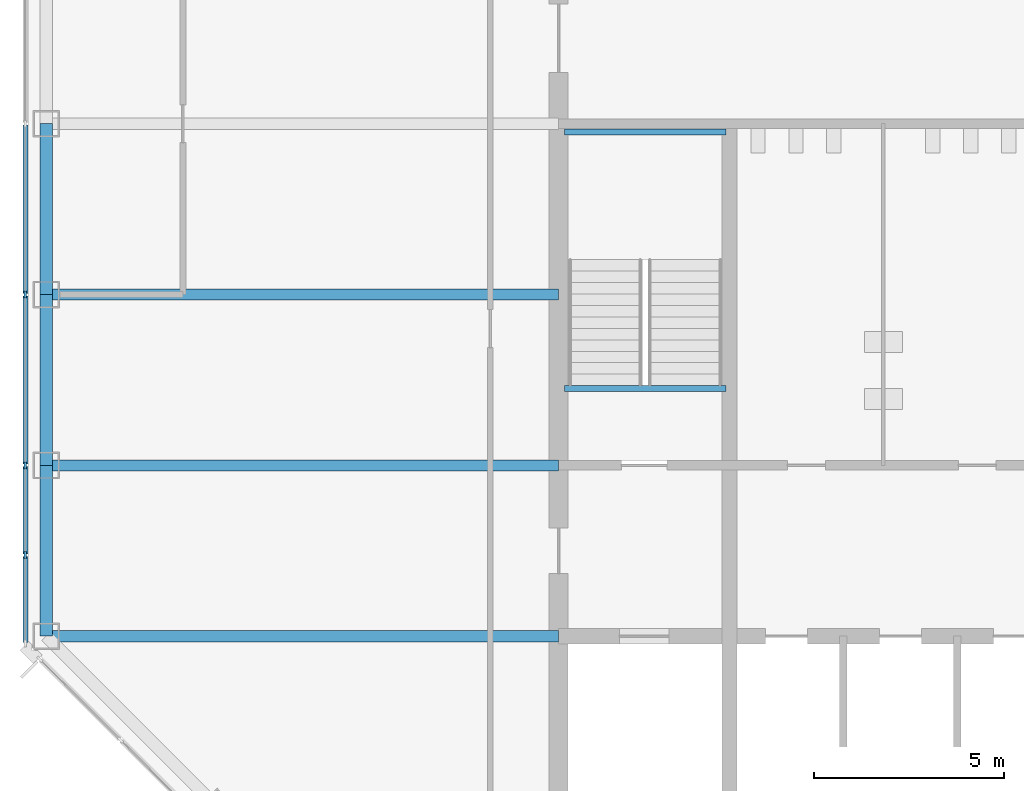
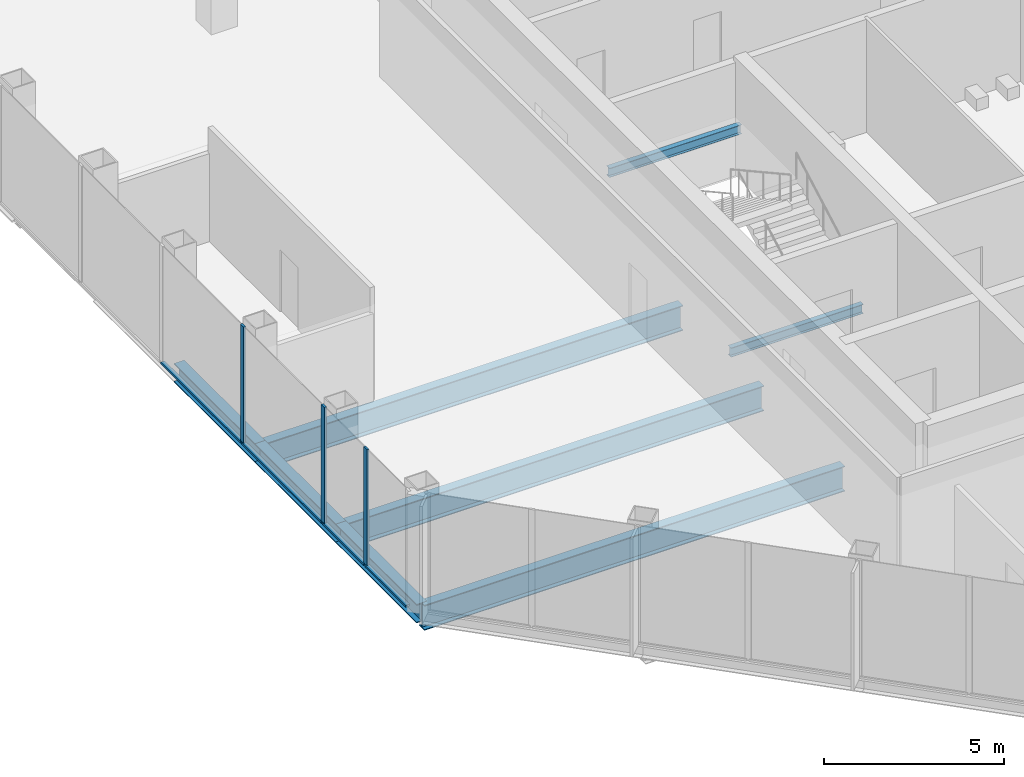
# One storey, part 3 of 12: 8 beams, 7 members, 1 element without a shape of its own.
"""IFC4 building model written with IfcOpenShell, lengths in metres."""

from ifc_helpers import new_model, si_unit, direction, frame, origin, origin_2d, place, context, subcontext, project, spatial, rectangle, i_section, extrude, material, material_profile, profile_set, type_object, element, aggregate, save


model = new_model("IFC4")

# Units and contexts
model_context = context("Model", 3, precision=1e-05, world=origin(), true_north=direction((0.0, 1.0)))
body_context = subcontext(model_context, "Body", "Model", "MODEL_VIEW")
ifc_project = project(units=[si_unit("LENGTHUNIT", "METRE"), si_unit("AREAUNIT", "SQUARE_METRE"), si_unit("VOLUMEUNIT", "CUBIC_METRE"), si_unit("PLANEANGLEUNIT", "RADIAN"), si_unit("MASSUNIT", "GRAM", prefix="KILO")], contexts=[model_context])

# Site, building, storey
site_placement = place(None, origin())
site = spatial("IfcSite", under=ifc_project, at=site_placement, CompositionType="ELEMENT")
building_placement = place(site_placement, origin())
building = spatial("IfcBuilding", under=site, at=building_placement, Name="Corais Broadcast Tower", CompositionType="ELEMENT")
storey_placement = place(building_placement, frame((0.0, 0.0, 163.60009765625)))
storey = spatial("IfcBuildingStorey", under=building, at=storey_placement, Name="L37", CompositionType="ELEMENT", Elevation=163.60009765625)

# Beams
ifc_material_1 = material(Name="Steel ASTM A572 Grade 50", Category="steel")
ifc_material_profile_1 = material_profile(ifc_material_1, i_section(OverallWidth=0.2939453125, OverallDepth=0.85107421875, WebThickness=0.01611328125, FlangeThickness=0.02685546875, at=origin_2d()), Name="W840x226")
ifc_profile_set_1 = profile_set([ifc_material_profile_1], Name="Steel ASTM A572 Grade 50")
beam_type_1 = type_object("IfcBeamType", Name="Floor beam W840x226", PredefinedType="BEAM", material=ifc_profile_set_1)
for number, where, z_axis, x_axis, name in (
    (1, (0.0, 18.0, -0.585693359375), (1.0, 0.0, 0.0), (0.0, 1.0, 0.0), "B1 E/3 to E/6"),
    (2, (0.0, 22.5, -0.585693359375), (1.0, 0.0, 0.0), (0.0, 1.0, 0.0), "B1 F/3 to F/6"),
    (3, (0.0, 27.0, -0.585693359375), (1.0, 0.0, 0.0), (0.0, 1.0, 0.0), "B1 G/3 to G/6"),
):
    element("IfcBeam", number, at=place(storey_placement, frame(where, z_axis=z_axis, x_axis=x_axis)), inside=storey, type_object=beam_type_1, Name=name, PredefinedType="BEAM", context=body_context, shape_type="SweptSolid", body=[
        extrude(i_section(OverallWidth=0.2939453125, OverallDepth=0.85107421875, WebThickness=0.01611328125, FlangeThickness=0.02685546875, at=origin_2d()), origin(), (0.0, 0.0, 1.0), 13.5),
    ])
ifc_material_2 = material(Name="Steel ASTM A572 Grade 50", Category="steel")
ifc_material_profile_2 = material_profile(ifc_material_2, i_section(OverallWidth=0.1650390625, OverallDepth=0.31005859375, WebThickness=0.005859375, FlangeThickness=0.009765625, at=origin_2d()), Name="W310x38.7")
ifc_profile_set_2 = profile_set([ifc_material_profile_2], Name="Steel ASTM A572 Grade 50")
beam_type_2 = type_object("IfcBeamType", Name="Landing trimmer W310x38.7", PredefinedType="BEAM", material=ifc_profile_set_2)
for number, where, z_axis, x_axis, name in (
    (4, (13.64990234375, 24.52490234375, -0.35498046875), (1.0, 0.0, 0.0), (0.0, 1.0, 0.0), "LT1 stair A landing trimmer L37"),
    (5, (13.64990234375, 31.284912109375, 1.64501953125), (1.0, 0.0, 0.0), (0.0, 1.0, 0.0), "LT1 stair A half landing trimmer L37"),
):
    element("IfcBeam", number, at=place(storey_placement, frame(where, z_axis=z_axis, x_axis=x_axis)), inside=storey, type_object=beam_type_2, Name=name, PredefinedType="BEAM", context=body_context, shape_type="SweptSolid", body=[
        extrude(i_section(OverallWidth=0.1650390625, OverallDepth=0.31005859375, WebThickness=0.005859375, FlangeThickness=0.009765625, at=origin_2d()), origin(), (0.0, 0.0, 1.0), 4.25),
    ])

# Curtain wall, members
ifc_material_3 = material(Name="Aluminium and glass", Category="aluminium")
curtain_wall_type = type_object("IfcCurtainWallType", Name="Unitised fritted curtain wall CW2", PredefinedType="NOTDEFINED", material=ifc_material_3)
curtain_wall_placement = place(storey_placement, origin())
curtain_wall = element("IfcCurtainWall", 6, at=curtain_wall_placement, inside=storey, type_object=curtain_wall_type, Name="CW2 curtain wall L37 2", PredefinedType="NOTDEFINED")
ifc_material_4 = material(Name="Aluminium 6063-T6", Category="aluminium")
ifc_material_profile_3 = material_profile(ifc_material_4, rectangle(XDim=0.06494140625, YDim=0.179931640625, at=origin_2d()), Name="Mullion CW2 65x180")
ifc_profile_set_3 = profile_set([ifc_material_profile_3], Name="Aluminium 6063-T6")
member_type_1 = type_object("IfcMemberType", Name="Mullion CW2 65x180", PredefinedType="MULLION", material=ifc_profile_set_3)
member_1_placement = place(storey_placement, frame((-0.550048828125, 20.135986328125, 0.0), z_axis=(0.0, 0.0, 1.0), x_axis=(-1.0, 0.0, 0.0)))
member_1 = element("IfcMember", 7, at=member_1_placement, type_object=member_type_1, Name="CW2 mullion 2", PredefinedType="MULLION", context=body_context, shape_type="SweptSolid", body=[
    extrude(rectangle(XDim=0.06494140625, YDim=0.179931640625, at=origin_2d()), origin(), (0.0, 0.0, 1.0), 4.0),
])
member_2_placement = place(storey_placement, frame((-0.550048828125, 22.5, 0.0), z_axis=(0.0, 0.0, 1.0), x_axis=(-1.0, 0.0, 0.0)))
member_2 = element("IfcMember", 8, at=member_2_placement, type_object=member_type_1, Name="CW2 mullion 3", PredefinedType="MULLION", context=body_context, shape_type="SweptSolid", body=[
    extrude(rectangle(XDim=0.06494140625, YDim=0.179931640625, at=origin_2d()), origin(), (0.0, 0.0, 1.0), 4.0),
])
member_3_placement = place(storey_placement, frame((-0.550048828125, 27.0, 0.0), z_axis=(0.0, 0.0, 1.0), x_axis=(-1.0, 0.0, 0.0)))
member_3 = element("IfcMember", 9, at=member_3_placement, type_object=member_type_1, Name="CW2 mullion 4", PredefinedType="MULLION", context=body_context, shape_type="SweptSolid", body=[
    extrude(rectangle(XDim=0.06494140625, YDim=0.179931640625, at=origin_2d()), origin(), (0.0, 0.0, 1.0), 4.0),
])

# Beams
ifc_material_5 = material(Name="Steel ASTM A572 Grade 50", Category="steel")
ifc_material_profile_4 = material_profile(ifc_material_5, i_section(OverallWidth=0.3291015625, OverallDepth=0.635009765625, WebThickness=0.017822265625, FlangeThickness=0.031005859375, at=origin_2d()), Name="W610x241")
ifc_profile_set_4 = profile_set([ifc_material_profile_4], Name="Steel ASTM A572 Grade 50")
beam_type_3 = type_object("IfcBeamType", Name="Spandrel W610x241", PredefinedType="BEAM", material=ifc_profile_set_4)
for number, where, z_axis, x_axis, name in (
    (10, (0.0, 22.5, -0.4775390625), (0.0, -1.0, 0.0), (1.0, 0.0, 0.0), "SB1 F/3 to E/3"),
    (11, (0.0, 27.0, -0.4775390625), (0.0, -1.0, 0.0), (1.0, 0.0, 0.0), "SB1 G/3 to F/3"),
    (12, (0.0, 31.5, -0.4775390625), (0.0, -1.0, 0.0), (1.0, 0.0, 0.0), "SB1 H/3 to G/3"),
):
    element("IfcBeam", number, at=place(storey_placement, frame(where, z_axis=z_axis, x_axis=x_axis)), inside=storey, type_object=beam_type_3, Name=name, PredefinedType="BEAM", context=body_context, shape_type="SweptSolid", body=[
        extrude(i_section(OverallWidth=0.3291015625, OverallDepth=0.635009765625, WebThickness=0.017822265625, FlangeThickness=0.031005859375, at=origin_2d()), origin(), (0.0, 0.0, 1.0), 4.5),
    ])

# Member
ifc_material_6 = material(Name="Aluminium 6063-T6", Category="aluminium")
ifc_material_profile_5 = material_profile(ifc_material_6, rectangle(XDim=0.1298828125, YDim=0.06494140625, at=origin_2d()), Name="Transom CW2 65x130")
ifc_profile_set_5 = profile_set([ifc_material_profile_5], Name="Aluminium 6063-T6")
member_type_2 = type_object("IfcMemberType", Name="Transom CW2 65x130", PredefinedType="USERDEFINED", material=ifc_profile_set_5)
member_4_placement = place(storey_placement, frame((-0.550048828125, 17.837158203125, 0.032470703125), z_axis=(0.0, 1.0, 0.0), x_axis=(-1.0, 0.0, 0.0)))
member_4 = element("IfcMember", 13, at=member_4_placement, type_object=member_type_2, Name="CW2 transom 1.1", ObjectType="TRANSOM", PredefinedType="USERDEFINED", context=body_context, shape_type="SweptSolid", body=[
    extrude(rectangle(XDim=0.1298828125, YDim=0.06494140625, at=origin_2d()), origin(), (0.0, 0.0, 1.0), 2.266357421875),
])

member_5_placement = place(storey_placement, frame((-0.550048828125, 20.168701171875, 0.032470703125), z_axis=(0.0, 1.0, 0.0), x_axis=(-1.0, 0.0, 0.0)))
member_5 = element("IfcMember", 14, at=member_5_placement, type_object=member_type_2, Name="CW2 transom 2.1", ObjectType="TRANSOM", PredefinedType="USERDEFINED", context=body_context, shape_type="SweptSolid", body=[
    extrude(rectangle(XDim=0.1298828125, YDim=0.06494140625, at=origin_2d()), origin(), (0.0, 0.0, 1.0), 2.298828125),
])

member_6_placement = place(storey_placement, frame((-0.550048828125, 22.532470703125, 0.032470703125), z_axis=(0.0, 1.0, 0.0), x_axis=(-1.0, 0.0, 0.0)))
member_6 = element("IfcMember", 15, at=member_6_placement, type_object=member_type_2, Name="CW2 transom 3.1", ObjectType="TRANSOM", PredefinedType="USERDEFINED", context=body_context, shape_type="SweptSolid", body=[
    extrude(rectangle(XDim=0.1298828125, YDim=0.06494140625, at=origin_2d()), origin(), (0.0, 0.0, 1.0), 4.43505859375),
])

member_7_placement = place(storey_placement, frame((-0.550048828125, 27.032470703125, 0.032470703125), z_axis=(0.0, 1.0, 0.0), x_axis=(-1.0, 0.0, 0.0)))
member_7 = element("IfcMember", 16, at=member_7_placement, type_object=member_type_2, Name="CW2 transom 4.1", ObjectType="TRANSOM", PredefinedType="USERDEFINED", context=body_context, shape_type="SweptSolid", body=[
    extrude(rectangle(XDim=0.1298828125, YDim=0.06494140625, at=origin_2d()), origin(), (0.0, 0.0, 1.0), 4.43505859375),
])

aggregate(curtain_wall, [member_1, member_2, member_3, member_4, member_5, member_6, member_7])

save(model, "model.ifc")
